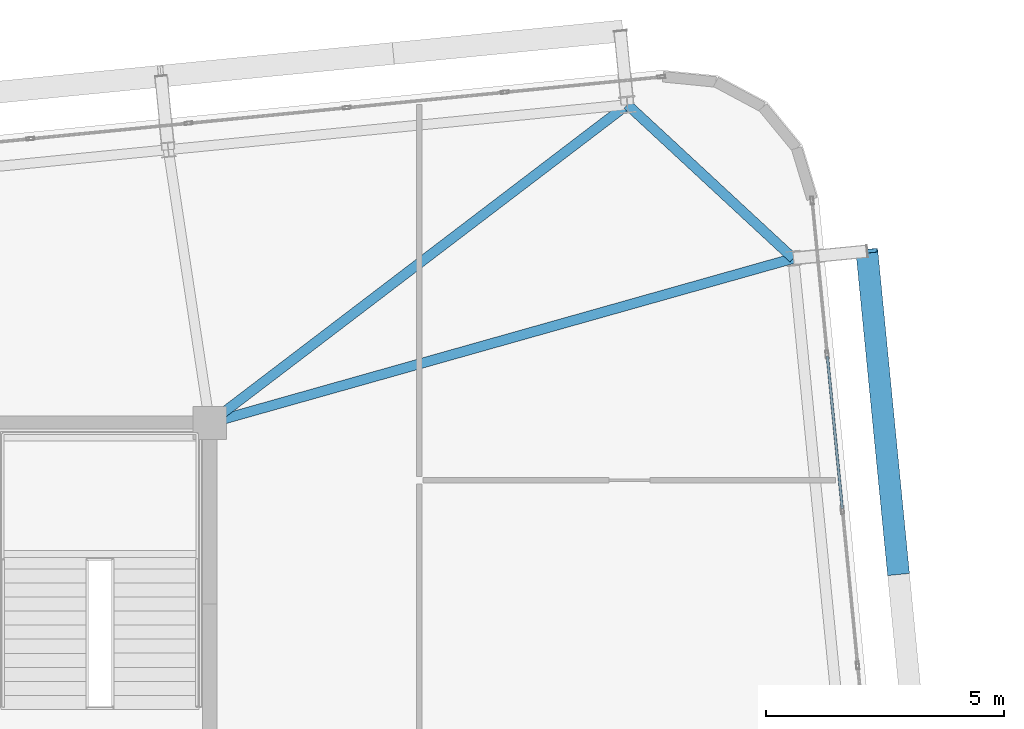
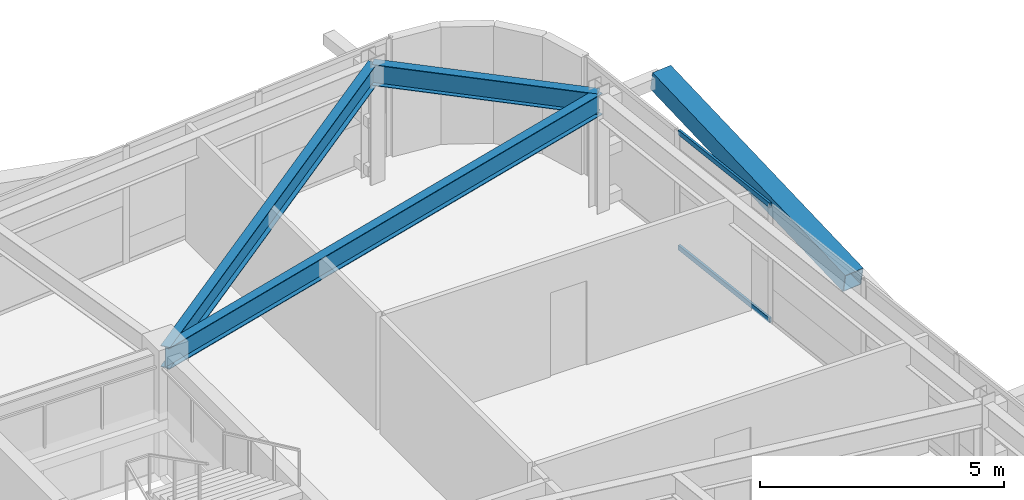
# One storey, part 34 of 52: 3 beams, 3 members, 1 element without a shape of its own.
"""IFC4 building model written with IfcOpenShell, lengths in metres."""

import ifcopenshell
import ifcopenshell.guid

model = None  # the IFC model being written
_history = None  # IfcOwnerHistory: only IFC2X3 demands one
_inside = {}  # id of a spatial element -> (the spatial element, [elements in it])
_under = {}  # id of a project, library or spatial element -> (it, [spatial elements below it])
_declared = {}  # id of a project -> (the project, [libraries it declares])
_typed = {}  # id of a type object -> (the type object, [elements of that type])
_made_of = {}  # id of a material, layer set ... -> (it, [elements and type objects made of it])


def new_model(schema):
    """Start an empty IFC model of exactly this schema.

    Asked for "IFC4X3", IfcOpenShell would pick the latest addendum, in which some entities
    have other attributes; the version numbers below select the first issue.
    IFC2X3 requires an IfcOwnerHistory on every rooted entity: one is made here for all.
    """
    global model, _history
    if schema == "IFC4X3":
        model = ifcopenshell.file(schema_version=(4, 3, 0, 0))
    else:
        model = ifcopenshell.file(schema=schema)
    _inside.clear()
    _under.clear()
    _declared.clear()
    _typed.clear()
    _made_of.clear()
    _history = None
    if model.schema == "IFC2X3":
        org = make("IfcOrganization", Name="unknown")
        user = make(
            "IfcPersonAndOrganization",
            ThePerson=make("IfcPerson", FamilyName="unknown"),
            TheOrganization=org,
        )
        app = make(
            "IfcApplication",
            ApplicationDeveloper=org,
            Version="unknown",
            ApplicationFullName="unknown",
            ApplicationIdentifier="unknown",
        )
        _history = make(
            "IfcOwnerHistory",
            OwningUser=user,
            OwningApplication=app,
            ChangeAction="ADDED",
            CreationDate=0,
        )
    return model


def make(cls, **values):
    """One entity of the class cls with the attributes given. An attribute that is None is left unset."""
    return model.create_entity(
        cls, **{name: value for name, value in values.items() if value is not None}
    )


def rooted(cls, **values):
    """An entity with a GlobalId (a new one), such as an element, a storey or a relation."""
    return make(cls, GlobalId=ifcopenshell.guid.new(), OwnerHistory=_history, **values)


def si_unit(unit_type, name, prefix=None):
    """IfcSIUnit, for example si_unit("LENGTHUNIT", "METRE", prefix="MILLI")."""
    return make("IfcSIUnit", UnitType=unit_type, Prefix=prefix, Name=name)


def assignment(units):
    """IfcUnitAssignment: the units of a project."""
    return None if units is None else make("IfcUnitAssignment", Units=units)


def point(xyz):
    """IfcCartesianPoint."""
    return None if xyz is None else make("IfcCartesianPoint", Coordinates=xyz)


def direction(xyz):
    """IfcDirection."""
    return None if xyz is None else make("IfcDirection", DirectionRatios=xyz)


def frame(location, z_axis=None, x_axis=None):
    """IfcAxis2Placement3D, a coordinate frame: its origin and axes. An axis left out is left unset."""
    return make(
        "IfcAxis2Placement3D",
        Location=point(location),
        Axis=direction(z_axis),
        RefDirection=direction(x_axis),
    )


def frame_2d(location, x_axis=None):
    """IfcAxis2Placement2D, a coordinate frame in the plane: its origin and x axis."""
    return make(
        "IfcAxis2Placement2D", Location=point(location), RefDirection=direction(x_axis)
    )


def origin():
    """The frame at (0, 0, 0) with its axes left unset."""
    return frame((0.0, 0.0, 0.0))


def origin_2d():
    """The frame at (0, 0) in the plane with its x axis left unset."""
    return frame_2d((0.0, 0.0))


def place(relative_to, where):
    """IfcLocalPlacement: puts the frame where relative to a parent placement (None: the world)."""
    return make(
        "IfcLocalPlacement", PlacementRelTo=relative_to, RelativePlacement=where
    )


def context(
    kind, dimensions, precision=None, world=None, true_north=None, identifier=None
):
    """IfcGeometricRepresentationContext, for example the 3D "Model" context."""
    return make(
        "IfcGeometricRepresentationContext",
        ContextIdentifier=identifier,
        ContextType=kind,
        CoordinateSpaceDimension=dimensions,
        Precision=precision,
        WorldCoordinateSystem=world,
        TrueNorth=true_north,
    )


def subcontext(parent, identifier, kind, view, scale=None):
    """IfcGeometricRepresentationSubContext, for example "Body" below "Model"."""
    return make(
        "IfcGeometricRepresentationSubContext",
        ContextIdentifier=identifier,
        ContextType=kind,
        ParentContext=parent,
        TargetScale=scale,
        TargetView=view,
    )


def project(units=None, contexts=None):
    """IfcProject with its units and contexts."""
    return rooted(
        "IfcProject",
        Name="project",
        RepresentationContexts=contexts,
        UnitsInContext=assignment(units),
    )


def spatial(cls, under=None, at=None, **own):
    """A site, building, storey or space (cls), placed at a placement, below another one or the project."""
    s = rooted(cls, ObjectPlacement=at, **own)
    if under is not None:
        _under.setdefault(under.id(), (under, []))[1].append(s)
    return s


def profile(cls, at=None, kind="AREA", **sizes):
    """A parametric profile (cls). Its sizes go by their IFC names, for example OverallWidth=200.0."""
    return make(cls, ProfileType=kind, Position=at, **sizes)


def hollow_rectangle(**sizes):
    """IfcRectangleHollowProfileDef."""
    return profile("IfcRectangleHollowProfileDef", **sizes)


def i_section(**sizes):
    """IfcIShapeProfileDef."""
    return profile("IfcIShapeProfileDef", **sizes)


def extrude(swept, where, along, depth):
    """IfcExtrudedAreaSolid: the profile swept, set in the frame where, extruded along a direction by depth."""
    return make(
        "IfcExtrudedAreaSolid",
        SweptArea=swept,
        Position=where,
        ExtrudedDirection=direction(along),
        Depth=depth,
    )


def shape(context_of_items, identifier, shape_type, items):
    """IfcShapeRepresentation: the items that make up one representation, for example the "Body"."""
    return make(
        "IfcShapeRepresentation",
        ContextOfItems=context_of_items,
        RepresentationIdentifier=identifier,
        RepresentationType=shape_type,
        Items=items,
    )


def source(mapping_origin, context_of_items, identifier, shape_type, items):
    """IfcRepresentationMap: a shape defined once, which mapped items show again and again."""
    return make(
        "IfcRepresentationMap",
        MappingOrigin=mapping_origin,
        MappedRepresentation=shape(context_of_items, identifier, shape_type, items),
    )


def transform(
    local_origin,
    x_axis=None,
    y_axis=None,
    z_axis=None,
    scale=None,
    scale2=None,
    scale3=None,
    uniform=True,
):
    """IfcCartesianTransformationOperator3D, or its non-uniform kind. x_axis, y_axis, z_axis: its Axis1, 2, 3."""
    if uniform:
        return make(
            "IfcCartesianTransformationOperator3D",
            Axis1=direction(x_axis),
            Axis2=direction(y_axis),
            LocalOrigin=point(local_origin),
            Scale=scale,
            Axis3=direction(z_axis),
        )
    return make(
        "IfcCartesianTransformationOperator3DnonUniform",
        Axis1=direction(x_axis),
        Axis2=direction(y_axis),
        LocalOrigin=point(local_origin),
        Scale=scale,
        Axis3=direction(z_axis),
        Scale2=scale2,
        Scale3=scale3,
    )


def mapped(mapping_source, mapping_target):
    """IfcMappedItem: shows the shape of a source again, moved by a transform."""
    return make(
        "IfcMappedItem", MappingSource=mapping_source, MappingTarget=mapping_target
    )


def material(Name=None, Category=None):
    """IfcMaterial."""
    return make("IfcMaterial", Name=Name, Category=Category)


def layer(
    of_material, thickness, ventilated=None, Name=None, Category=None, Priority=None
):
    """IfcMaterialLayer: one layer of a wall or slab, of a material (None: an air gap)."""
    return make(
        "IfcMaterialLayer",
        Material=of_material,
        LayerThickness=thickness,
        IsVentilated=ventilated,
        Name=Name,
        Category=Category,
        Priority=Priority,
    )


def layer_set(layers, Name=None):
    """IfcMaterialLayerSet."""
    return make("IfcMaterialLayerSet", MaterialLayers=layers, LayerSetName=Name)


def material_profile(
    of_material, cross_section, Name=None, Category=None, Priority=None
):
    """IfcMaterialProfile: a cross section and its material."""
    return make(
        "IfcMaterialProfile",
        Name=Name,
        Material=of_material,
        Profile=cross_section,
        Priority=Priority,
        Category=Category,
    )


def profile_set(profiles, Name=None, composite=None):
    """IfcMaterialProfileSet."""
    return make(
        "IfcMaterialProfileSet",
        Name=Name,
        MaterialProfiles=profiles,
        CompositeProfile=composite,
    )


def made_of(thing, what):
    """Note that an element or type object is made of a material, layer set ...; save() writes the relation."""
    if what is not None:
        _made_of.setdefault(what.id(), (what, []))[1].append(thing)
    return thing


def type_object(cls, material=None, **own):
    """A type object (cls), such as IfcWallType, which elements share."""
    return made_of(rooted(cls, **own), material)


def element(
    cls,
    number,
    at=None,
    inside=None,
    cuts=None,
    type_object=None,
    material=None,
    context=None,
    identifier="Body",
    shape_type=None,
    held_by="IfcProductDefinitionShape",
    body=None,
    shapes=None,
    **own,
):
    """One element of the class cls, such as IfcWall. Its Tag is "e" and its number.

    at: its placement. inside: the storey or other place that contains it. cuts: it is an
    opening in that element (IfcRelVoidsElement). A single representation is given by context,
    identifier, shape_type and body (its items); several are given by shapes. held_by: the class
    of the entity that holds the representations. save() writes the other relations.
    """
    e = rooted(cls, Tag="e%d" % number, ObjectPlacement=at, **own)
    if body is not None:
        shapes = [shape(context, identifier, shape_type, body)]
    if shapes is not None:
        e.Representation = make(held_by, Representations=shapes)
    if inside is not None:
        _inside.setdefault(inside.id(), (inside, []))[1].append(e)
    if cuts is not None:
        rooted(
            "IfcRelVoidsElement", RelatingBuildingElement=cuts, RelatedOpeningElement=e
        )
    if type_object is not None:
        _typed.setdefault(type_object.id(), (type_object, []))[1].append(e)
    return made_of(e, material)


def aggregate(whole, parts):
    """IfcRelAggregates: a whole, such as a stair, and the parts it consists of."""
    return rooted("IfcRelAggregates", RelatingObject=whole, RelatedObjects=parts)


def save(model, path):
    """Write the relations noted so far, then the file.

    IfcRelAggregates (storeys below a building ...), IfcRelContainedInSpatialStructure (elements
    in a storey), IfcRelDefinesByType, IfcRelAssociatesMaterial and IfcRelDeclares: one each for
    every whole, place, type object, material and project.
    """
    for whole, parts in _under.values():
        aggregate(whole, parts)
    for where, things in _inside.values():
        rooted(
            "IfcRelContainedInSpatialStructure",
            RelatedElements=things,
            RelatingStructure=where,
        )
    for kind, things in _typed.values():
        rooted("IfcRelDefinesByType", RelatedObjects=things, RelatingType=kind)
    for what, things in _made_of.values():
        rooted("IfcRelAssociatesMaterial", RelatedObjects=things, RelatingMaterial=what)
    for by, libraries in _declared.values():
        rooted("IfcRelDeclares", RelatingContext=by, RelatedDefinitions=libraries)
    model.write(path)


model = new_model("IFC4")

# Units and contexts
model_context = context("Model", 3, precision=1e-05, world=origin(), true_north=direction((0.0, 1.0)))
body_context = subcontext(model_context, "Body", "Model", "MODEL_VIEW")
ifc_project = project(units=[si_unit("LENGTHUNIT", "METRE"), si_unit("AREAUNIT", "SQUARE_METRE"), si_unit("VOLUMEUNIT", "CUBIC_METRE"), si_unit("PLANEANGLEUNIT", "RADIAN"), si_unit("MASSUNIT", "GRAM", prefix="KILO")], contexts=[model_context])

# Site, building, storey
site_placement = place(None, origin())
site = spatial("IfcSite", under=ifc_project, at=site_placement, CompositionType="ELEMENT")
building_placement = place(site_placement, origin())
building = spatial("IfcBuilding", under=site, at=building_placement, Name="Taldren Reach Tower", CompositionType="ELEMENT")
storey_placement = place(building_placement, frame((0.0, 0.0, 77.699951171875)))
storey = spatial("IfcBuildingStorey", under=building, at=storey_placement, Name="L23", CompositionType="ELEMENT", Elevation=77.699951171875)

# Beams
ifc_material_1 = material(Name="Steel Gr 350 (350PLUS)", Category="steel")
ifc_material_profile_1 = material_profile(ifc_material_1, i_section(OverallWidth=0.208984375, OverallDepth=0.528076171875, WebThickness=0.009521484375, FlangeThickness=0.01318359375, at=origin_2d()), Name="530UB82.0")
ifc_profile_set_1 = profile_set([ifc_material_profile_1], Name="Steel Gr 350 (350PLUS)")
beam_type_1 = type_object("IfcBeamType", Name="SP-UB530B", PredefinedType="SPANDREL", material=ifc_profile_set_1)
shared_shape_1 = source(origin(), body_context, "Body", "SweptSolid", [
    extrude(i_section(OverallWidth=0.208984375, OverallDepth=0.528076171875, WebThickness=0.009521484375, FlangeThickness=0.01318359375, at=origin_2d()), origin(), (0.0, 0.0, 1.0), 4.74609375),
])
beam_1_placement = place(storey_placement, frame((63.247314453125, 35.454345703125, 2.666015625), z_axis=(-0.733547883762, 0.679637772809, 0.0), x_axis=(-0.679637772809, -0.733547883762, 0.0)))
element("IfcBeam", 1, at=beam_1_placement, inside=storey, type_object=beam_type_1, Name="Perimeter spandrel B2 E3-N6 L23", PredefinedType="SPANDREL", context=body_context, shape_type="MappedRepresentation", body=[
    mapped(shared_shape_1, transform((0.0, 0.0, 0.0), scale=1.0)),
])
ifc_material_profile_2 = material_profile(ifc_material_1, i_section(OverallWidth=0.208984375, OverallDepth=0.532958984375, WebThickness=0.01025390625, FlangeThickness=0.015625, at=origin_2d()), Name="530UB92.4")
ifc_profile_set_2 = profile_set([ifc_material_profile_2], Name="Steel Gr 350 (350PLUS)")
beam_type_2 = type_object("IfcBeamType", Name="BM-UB530A", PredefinedType="BEAM", material=ifc_profile_set_2)
shared_shape_2 = source(origin(), body_context, "Body", "SweptSolid", [
    extrude(i_section(OverallWidth=0.208984375, OverallDepth=0.532958984375, WebThickness=0.01025390625, FlangeThickness=0.015625, at=origin_2d()), origin(), (0.0, 0.0, 1.0), 12.72509765625),
])
beam_2_placement = place(storey_placement, frame((51.0, 32.0, 2.66357421875), z_axis=(0.962450190096, 0.271458342264, 0.0), x_axis=(-0.271458342264, 0.962450190096, 0.0)))
element("IfcBeam", 2, at=beam_2_placement, inside=storey, type_object=beam_type_2, Name="Primary floor girder B2-E3 L23", PredefinedType="BEAM", context=body_context, shape_type="MappedRepresentation", body=[
    mapped(shared_shape_2, transform((0.0, 0.0, 0.0), scale=1.0)),
])
shared_shape_3 = source(origin(), body_context, "Body", "SweptSolid", [
    extrude(i_section(OverallWidth=0.208984375, OverallDepth=0.532958984375, WebThickness=0.01025390625, FlangeThickness=0.015625, at=origin_2d()), origin(), (0.0, 0.0, 1.0), 11.02099609375),
])
beam_3_placement = place(storey_placement, frame((51.0, 32.0, 2.66357421875), z_axis=(0.795380356763, 0.606110623629, 0.0), x_axis=(-0.606110623629, 0.795380356763, 0.0)))
element("IfcBeam", 3, at=beam_3_placement, inside=storey, type_object=beam_type_2, Name="Primary floor girder B2-N6 L23", PredefinedType="BEAM", context=body_context, shape_type="MappedRepresentation", body=[
    mapped(shared_shape_3, transform((0.0, 0.0, 0.0), scale=1.0)),
])

# Member
ifc_material_2 = material(Name="Steel Gr 450 (C450L0)", Category="steel")
ifc_material_profile_3 = material_profile(ifc_material_2, hollow_rectangle(XDim=0.4599609375, YDim=0.4599609375, WallThickness=0.01611328125, at=origin_2d()), Name="460x460x16.0SHS")
ifc_profile_set_3 = profile_set([ifc_material_profile_3], Name="Steel Gr 450 (C450L0)")
member_type_1 = type_object("IfcMemberType", Name="MB-EXO457", PredefinedType="BRACE", material=ifc_profile_set_3)
shared_shape_4 = source(origin(), body_context, "Body", "SweptSolid", [
    extrude(hollow_rectangle(XDim=0.4599609375, YDim=0.4599609375, WallThickness=0.01611328125, at=origin_2d()), origin(), (0.0, 0.0, 1.0), 6.883056640625),
])
member_1_placement = place(storey_placement, frame((65.450927734375, 28.86279296875, 1.43505859375), z_axis=(-0.09605145821, 0.97959718347, 0.176531797456), x_axis=(-0.995227290009, -0.097584021339, 0.0)))
element("IfcMember", 4, at=member_1_placement, inside=storey, type_object=member_type_1, Name="Exoskeleton Diagrid Brace B2-E2 L23", PredefinedType="BRACE", context=body_context, shape_type="MappedRepresentation", body=[
    mapped(shared_shape_4, transform((0.0, 0.0, 0.0), scale=1.0)),
])

# Curtain wall, members
ifc_material_3 = material(Name="Aluminium and Low-E Glass Unitised System", Category="aluminium")
ifc_layer = layer(ifc_material_3, 0.159912109375)
ifc_layer_set = layer_set([ifc_layer], Name="Aluminium and Low-E Glass Unitised System")
curtain_wall_type = type_object("IfcCurtainWallType", Name="CW-SYS-3", PredefinedType="NOTDEFINED", material=ifc_layer_set)
curtain_wall_placement = place(storey_placement, origin())
curtain_wall = element("IfcCurtainWall", 5, at=curtain_wall_placement, inside=storey, type_object=curtain_wall_type, Name="Unitised curtain wall CW-L23-E", PredefinedType="NOTDEFINED")
ifc_material_4 = material(Name="Anodised Aluminium 6063-T6", Category="aluminium")
ifc_material_profile_4 = material_profile(ifc_material_4, hollow_rectangle(XDim=0.054931640625, YDim=0.1201171875, WallThickness=0.0029296875, at=origin_2d()), Name="ALU-120x55x3RHS")
ifc_profile_set_4 = profile_set([ifc_material_profile_4], Name="Anodised Aluminium 6063-T6")
member_type_2 = type_object("IfcMemberType", Name="CW-TRN-135", PredefinedType="USERDEFINED", material=ifc_profile_set_4)
shared_shape_5 = source(origin(), body_context, "Body", "SweptSolid", [
    extrude(hollow_rectangle(XDim=0.054931640625, YDim=0.1201171875, WallThickness=0.0029296875, at=origin_2d()), origin(), (0.0, 0.0, 1.0), 3.212890625),
])
member_2_placement = place(storey_placement, frame((64.274169921875, 30.206298828125, 0.027587890625), z_axis=(-0.097569948235, 0.995228669805, 0.0), x_axis=(-0.995228669805, -0.097569948235, 0.0)))
member_2 = element("IfcMember", 6, at=member_2_placement, type_object=member_type_2, Name="CW-3 transom 8.1", ObjectType="TRANSOM", PredefinedType="USERDEFINED", context=body_context, shape_type="MappedRepresentation", body=[
    mapped(shared_shape_5, transform((0.0, 0.0, 0.0), scale=1.0)),
])
member_3_placement = place(storey_placement, frame((64.274169921875, 30.206298828125, 2.902587890625), z_axis=(-0.097569948235, 0.995228669805, 0.0), x_axis=(-0.995228669805, -0.097569948235, 0.0)))
member_3 = element("IfcMember", 7, at=member_3_placement, type_object=member_type_2, Name="CW-3 transom 8.2", ObjectType="TRANSOM", PredefinedType="USERDEFINED", context=body_context, shape_type="MappedRepresentation", body=[
    mapped(shared_shape_5, transform((0.0, 0.0, 0.0), scale=1.0)),
])
aggregate(curtain_wall, [member_2, member_3])

save(model, "model.ifc")
